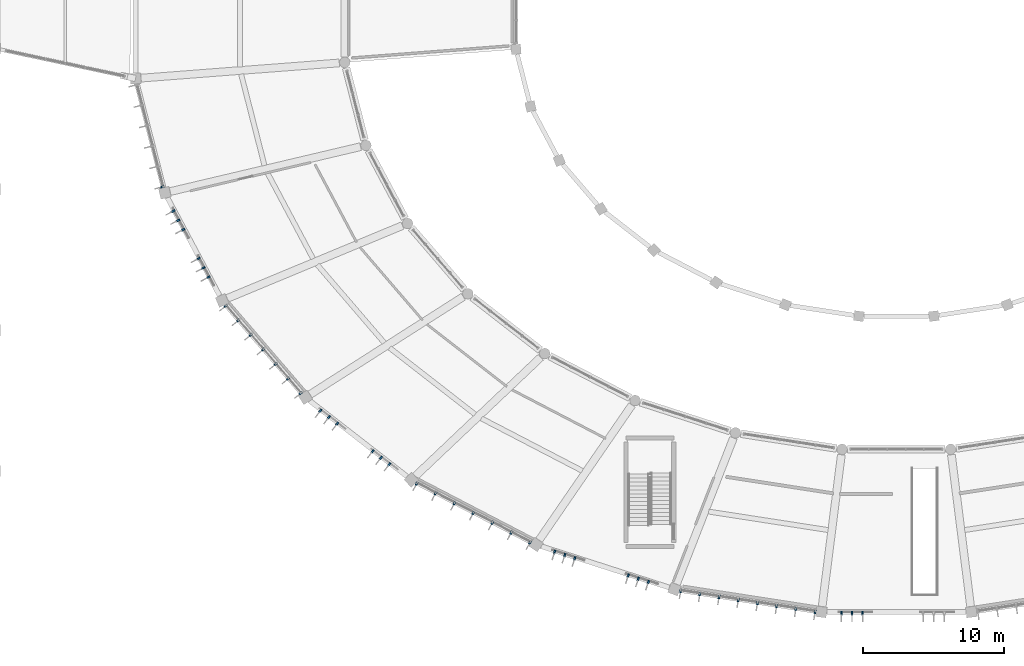
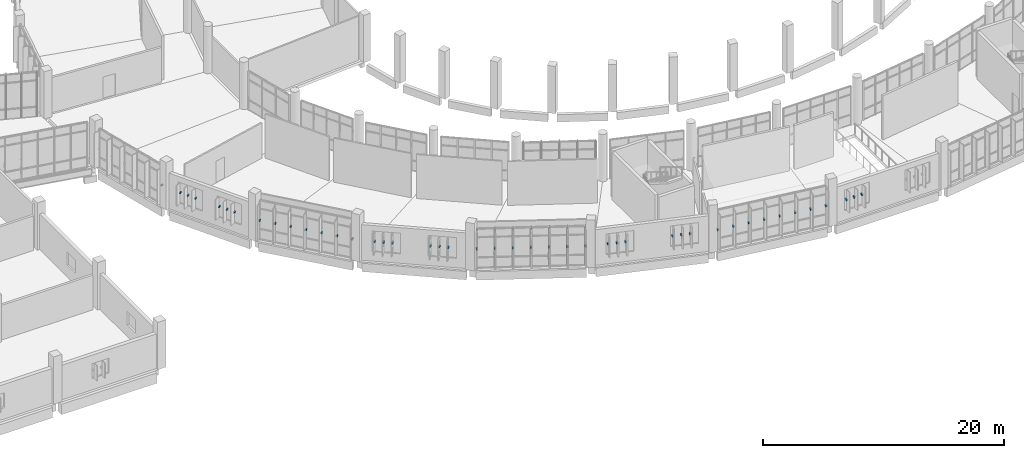
# One storey, part 135 of 179: 44 discrete accessories.
"""IFC4 building model written with IfcOpenShell, lengths in metres."""

from ifc_helpers import new_model, si_unit, direction, frame, origin, origin_2d, place, context, subcontext, project, spatial, rectangle, extrude, material, type_object, element, save


model = new_model("IFC4")

# Units and contexts
model_context = context("Model", 3, precision=1e-05, world=origin(), true_north=direction((0.0, 1.0)))
body_context = subcontext(model_context, "Body", "Model", "MODEL_VIEW")
ifc_project = project(units=[si_unit("LENGTHUNIT", "METRE"), si_unit("AREAUNIT", "SQUARE_METRE"), si_unit("VOLUMEUNIT", "CUBIC_METRE"), si_unit("PLANEANGLEUNIT", "RADIAN"), si_unit("MASSUNIT", "GRAM", prefix="KILO")], contexts=[model_context])

# Site, building, storey
site_placement = place(None, origin())
site = spatial("IfcSite", under=ifc_project, at=site_placement, CompositionType="ELEMENT")
building_placement = place(site_placement, origin())
building = spatial("IfcBuilding", under=site, at=building_placement, Name="Corvandel Quay Wholesale Market", CompositionType="ELEMENT")
storey_placement = place(building_placement, frame((0.0, 0.0, 6.0)))
storey = spatial("IfcBuildingStorey", under=building, at=storey_placement, Name="L01", CompositionType="ELEMENT", Elevation=6.0)

# Discrete accessories
ifc_material = material(Name="Austenitic stainless steel Grade 316", Category="steel")
discrete_accessory_type = type_object("IfcDiscreteAccessoryType", Name="Stainless Solar Fin Fixing Bracket BRK01", PredefinedType="USERDEFINED", material=ifc_material)
discrete_accessory_placement = place(storey_placement, frame((61.905517578125, 30.170166015625, 1.9052734375), z_axis=(0.0, 0.0, 1.0), x_axis=(0.968843057437, 0.247675453076, 0.0)))
element("IfcDiscreteAccessory", 1, at=discrete_accessory_placement, inside=storey, type_object=discrete_accessory_type, Name="Fin Bracket 0045", ObjectType="BRACKET", PredefinedType="USERDEFINED", context=body_context, shape_type="SweptSolid", body=[
    extrude(rectangle(XDim=0.239990234375, YDim=0.1201171875, at=origin_2d()), origin(), (0.0, 0.0, 1.0), 0.139892578125),
])
for number, where, z_axis, x_axis, name in (
    (2, (62.654296875, 28.44873046875, 1.93017578125), (0.0, 0.0, 1.0), (0.882619624736, 0.470087862033, 0.0), "Fin Bracket 0052"),
    (3, (63.0068359375, 27.78662109375, 1.93017578125), (0.0, 0.0, 1.0), (0.882619624736, 0.470087862033, 0.0), "Fin Bracket 0053"),
    (4, (63.359619140625, 27.124755859375, 1.93017578125), (0.0, 0.0, 1.0), (0.882619624736, 0.470087862033, 0.0), "Fin Bracket 0054"),
    (5, (64.4501953125, 25.0771484375, 1.93017578125), (0.0, 0.0, 1.0), (0.882619624736, 0.470087862033, 0.0), "Fin Bracket 0055"),
    (6, (64.802734375, 24.415283203125, 1.93017578125), (0.0, 0.0, 1.0), (0.882619624736, 0.470087862033, 0.0), "Fin Bracket 0056"),
    (7, (65.1552734375, 23.75341796875, 1.93017578125), (0.0, 0.0, 1.0), (0.882619624736, 0.470087862033, 0.0), "Fin Bracket 0057"),
):
    element("IfcDiscreteAccessory", number, at=place(storey_placement, frame(where, z_axis=z_axis, x_axis=x_axis)), inside=storey, type_object=discrete_accessory_type, Name=name, ObjectType="BRACKET", PredefinedType="USERDEFINED", context=body_context, shape_type="SweptSolid", body=[
        extrude(rectangle(XDim=0.280029296875, YDim=0.1201171875, at=origin_2d()), origin(), (0.0, 0.0, 1.0), 0.139892578125),
    ])
for number, where, z_axis, x_axis, name in (
    (8, (66.393798828125, 21.7255859375, 1.9052734375), (0.0, 0.0, 1.0), (0.758589401976, 0.651568967347, 0.0), "Fin Bracket 0066"),
    (9, (67.28076171875, 20.69287109375, 1.9052734375), (0.0, 0.0, 1.0), (0.758589401976, 0.651568967347, 0.0), "Fin Bracket 0067"),
    (10, (68.16796875, 19.66015625, 1.9052734375), (0.0, 0.0, 1.0), (0.758589401976, 0.651568967347, 0.0), "Fin Bracket 0068"),
    (11, (69.054931640625, 18.62744140625, 1.9052734375), (0.0, 0.0, 1.0), (0.758589401976, 0.651568967347, 0.0), "Fin Bracket 0069"),
    (12, (69.942138671875, 17.5947265625, 1.9052734375), (0.0, 0.0, 1.0), (0.758589401976, 0.651568967347, 0.0), "Fin Bracket 0070"),
    (13, (70.8291015625, 16.56201171875, 1.9052734375), (0.0, 0.0, 1.0), (0.758589401976, 0.651568967347, 0.0), "Fin Bracket 0071"),
    (14, (71.71630859375, 15.529296875, 1.9052734375), (0.0, 0.0, 1.0), (0.758589401976, 0.651568967347, 0.0), "Fin Bracket 0072"),
):
    element("IfcDiscreteAccessory", number, at=place(storey_placement, frame(where, z_axis=z_axis, x_axis=x_axis)), inside=storey, type_object=discrete_accessory_type, Name=name, ObjectType="BRACKET", PredefinedType="USERDEFINED", context=body_context, shape_type="SweptSolid", body=[
        extrude(rectangle(XDim=0.239990234375, YDim=0.1201171875, at=origin_2d()), origin(), (0.0, 0.0, 1.0), 0.139892578125),
    ])
for number, where, z_axis, x_axis, name in (
    (15, (73.114501953125, 14.276123046875, 1.93017578125), (0.0, 0.0, 1.0), (0.614009720373, 0.789298462742, 0.0), "Fin Bracket 0087"),
    (16, (73.706298828125, 13.815673828125, 1.93017578125), (0.0, 0.0, 1.0), (0.614009720373, 0.789298462742, 0.0), "Fin Bracket 0088"),
    (17, (74.29833984375, 13.355224609375, 1.93017578125), (0.0, 0.0, 1.0), (0.614009720373, 0.789298462742, 0.0), "Fin Bracket 0089"),
    (18, (76.81640625, 11.396728515625, 1.93017578125), (0.0, 0.0, 1.0), (0.614009720373, 0.789298462742, 0.0), "Fin Bracket 0090"),
    (19, (77.408447265625, 10.936279296875, 1.93017578125), (0.0, 0.0, 1.0), (0.614009720373, 0.789298462742, 0.0), "Fin Bracket 0091"),
    (20, (78.00048828125, 10.4755859375, 1.93017578125), (0.0, 0.0, 1.0), (0.614009720373, 0.789298462742, 0.0), "Fin Bracket 0092"),
):
    element("IfcDiscreteAccessory", number, at=place(storey_placement, frame(where, z_axis=z_axis, x_axis=x_axis)), inside=storey, type_object=discrete_accessory_type, Name=name, ObjectType="BRACKET", PredefinedType="USERDEFINED", context=body_context, shape_type="SweptSolid", body=[
        extrude(rectangle(XDim=0.280029296875, YDim=0.1201171875, at=origin_2d()), origin(), (0.0, 0.0, 1.0), 0.139892578125),
    ])
for number, where, z_axis, x_axis, name in (
    (21, (79.948486328125, 9.115234375, 1.9052734375), (0.0, 0.0, 1.0), (0.461129250378, 0.887332978338, 0.0), "Fin Bracket 0103"),
    (22, (81.28955078125, 8.41845703125, 1.9052734375), (0.0, 0.0, 1.0), (0.461129250378, 0.887332978338, 0.0), "Fin Bracket 0104"),
    (23, (82.63037109375, 7.7216796875, 1.9052734375), (0.0, 0.0, 1.0), (0.461129250378, 0.887332978338, 0.0), "Fin Bracket 0105"),
    (24, (83.97119140625, 7.02490234375, 1.9052734375), (0.0, 0.0, 1.0), (0.461129250378, 0.887332978338, 0.0), "Fin Bracket 0106"),
    (25, (85.312255859375, 6.327880859375, 1.9052734375), (0.0, 0.0, 1.0), (0.461129250378, 0.887332978338, 0.0), "Fin Bracket 0107"),
    (26, (86.653076171875, 5.631103515625, 1.9052734375), (0.0, 0.0, 1.0), (0.461129250378, 0.887332978338, 0.0), "Fin Bracket 0108"),
    (27, (87.993896484375, 4.934326171875, 1.9052734375), (0.0, 0.0, 1.0), (0.461129250378, 0.887332978338, 0.0), "Fin Bracket 0109"),
):
    element("IfcDiscreteAccessory", number, at=place(storey_placement, frame(where, z_axis=z_axis, x_axis=x_axis)), inside=storey, type_object=discrete_accessory_type, Name=name, ObjectType="BRACKET", PredefinedType="USERDEFINED", context=body_context, shape_type="SweptSolid", body=[
        extrude(rectangle(XDim=0.239990234375, YDim=0.1201171875, at=origin_2d()), origin(), (0.0, 0.0, 1.0), 0.139892578125),
    ])
for number, where, z_axis, x_axis, name in (
    (28, (89.741943359375, 4.24951171875, 1.93017578125), (0.0, 0.0, 1.0), (0.306692204733, 0.951808747363, 0.0), "Fin Bracket 0118"),
    (29, (90.455810546875, 4.019287109375, 1.93017578125), (0.0, 0.0, 1.0), (0.306692204733, 0.951808747363, 0.0), "Fin Bracket 0119"),
    (30, (91.169677734375, 3.78955078125, 1.93017578125), (0.0, 0.0, 1.0), (0.306692204733, 0.951808747363, 0.0), "Fin Bracket 0120"),
    (31, (94.962646484375, 2.567626953125, 1.93017578125), (0.0, 0.0, 1.0), (0.306692204733, 0.951808747363, 0.0), "Fin Bracket 0121"),
    (32, (95.676513671875, 2.337646484375, 1.93017578125), (0.0, 0.0, 1.0), (0.306692204733, 0.951808747363, 0.0), "Fin Bracket 0122"),
    (33, (96.390380859375, 2.107666015625, 1.93017578125), (0.0, 0.0, 1.0), (0.306692204733, 0.951808747363, 0.0), "Fin Bracket 0123"),
):
    element("IfcDiscreteAccessory", number, at=place(storey_placement, frame(where, z_axis=z_axis, x_axis=x_axis)), inside=storey, type_object=discrete_accessory_type, Name=name, ObjectType="BRACKET", PredefinedType="USERDEFINED", context=body_context, shape_type="SweptSolid", body=[
        extrude(rectangle(XDim=0.280029296875, YDim=0.1201171875, at=origin_2d()), origin(), (0.0, 0.0, 1.0), 0.139892578125),
    ])
for number, where, z_axis, x_axis, name in (
    (34, (98.6845703125, 1.48583984375, 1.9052734375), (0.0, 0.0, 1.0), (0.152813355565, 0.98825506746, 0.0), "Fin Bracket 0132"),
    (35, (100.0478515625, 1.27490234375, 1.9052734375), (0.0, 0.0, 1.0), (0.152813355565, 0.98825506746, 0.0), "Fin Bracket 0133"),
    (36, (101.410888671875, 1.064208984375, 1.9052734375), (0.0, 0.0, 1.0), (0.152813355565, 0.98825506746, 0.0), "Fin Bracket 0134"),
    (37, (102.774169921875, 0.853271484375, 1.9052734375), (0.0, 0.0, 1.0), (0.152813355565, 0.98825506746, 0.0), "Fin Bracket 0135"),
    (38, (104.137451171875, 0.64208984375, 1.9052734375), (0.0, 0.0, 1.0), (0.152813355565, 0.98825506746, 0.0), "Fin Bracket 0136"),
    (39, (105.500732421875, 0.431396484375, 1.9052734375), (0.0, 0.0, 1.0), (0.152813355565, 0.98825506746, 0.0), "Fin Bracket 0137"),
    (40, (106.864013671875, 0.220458984375, 1.9052734375), (0.0, 0.0, 1.0), (0.152813355565, 0.98825506746, 0.0), "Fin Bracket 0138"),
    (41, (108.22705078125, 0.009521484375, 1.9052734375), (0.0, 0.0, 1.0), (0.152813355565, 0.98825506746, 0.0), "Fin Bracket 0139"),
):
    element("IfcDiscreteAccessory", number, at=place(storey_placement, frame(where, z_axis=z_axis, x_axis=x_axis)), inside=storey, type_object=discrete_accessory_type, Name=name, ObjectType="BRACKET", PredefinedType="USERDEFINED", context=body_context, shape_type="SweptSolid", body=[
        extrude(rectangle(XDim=0.239990234375, YDim=0.1201171875, at=origin_2d()), origin(), (0.0, 0.0, 1.0), 0.139892578125),
    ])
for number, where, z_axis, x_axis, name in (
    (42, (110.10107421875, -0.10009765625, 1.93017578125), (0.0, 0.0, 1.0), (0.0, 1.0, 0.0), "Fin Bracket 0142"),
    (43, (110.85107421875, -0.10009765625, 1.93017578125), (0.0, 0.0, 1.0), (0.0, 1.0, 0.0), "Fin Bracket 0143"),
    (44, (111.60107421875, -0.10009765625, 1.93017578125), (0.0, 0.0, 1.0), (0.0, 1.0, 0.0), "Fin Bracket 0144"),
):
    element("IfcDiscreteAccessory", number, at=place(storey_placement, frame(where, z_axis=z_axis, x_axis=x_axis)), inside=storey, type_object=discrete_accessory_type, Name=name, ObjectType="BRACKET", PredefinedType="USERDEFINED", context=body_context, shape_type="SweptSolid", body=[
        extrude(rectangle(XDim=0.280029296875, YDim=0.1201171875, at=origin_2d()), origin(), (0.0, 0.0, 1.0), 0.139892578125),
    ])

save(model, "model.ifc")
